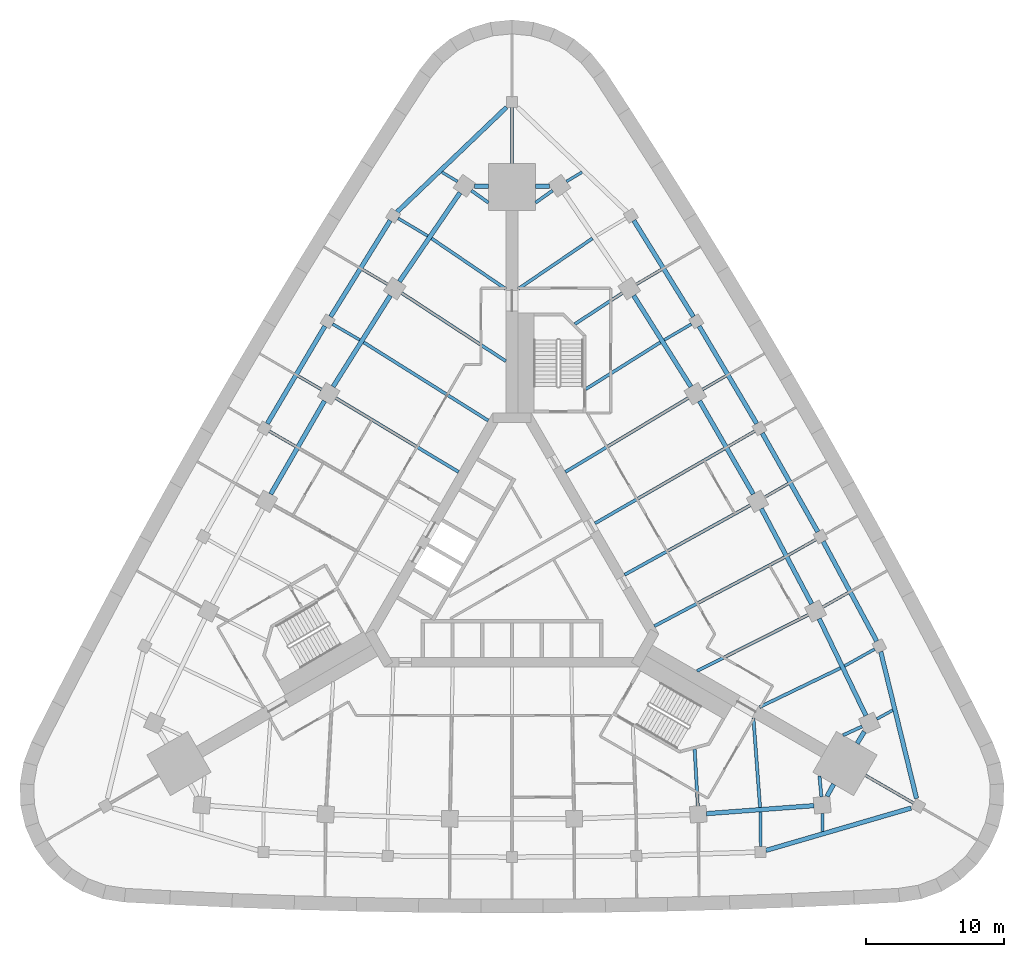
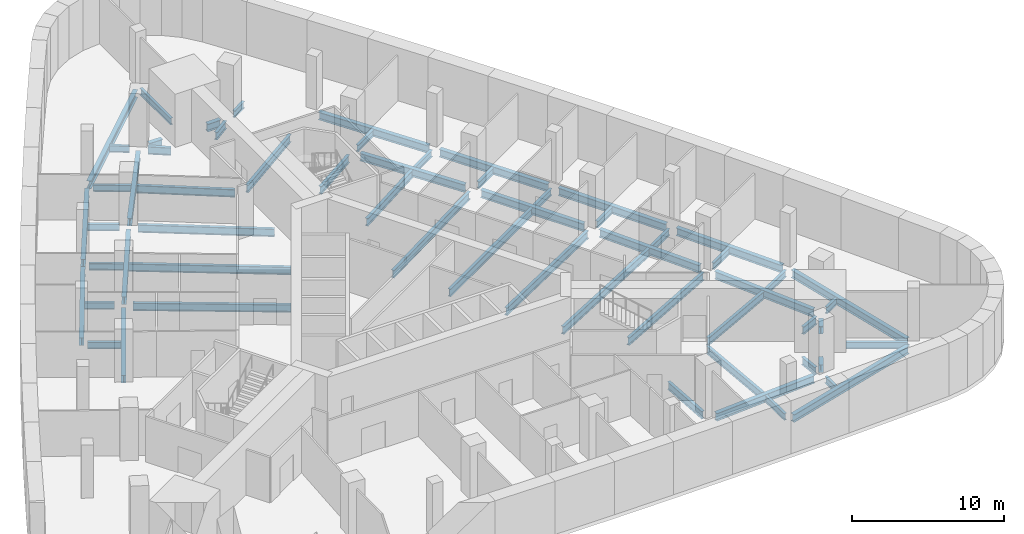
# One storey, part 2 of 9: 60 beams.
"""IFC4 building model written with IfcOpenShell, lengths in metres."""

from ifc_helpers import new_model, si_unit, direction, frame, origin, origin_2d, place, context, subcontext, project, spatial, i_section, extrude, material, material_profile, profile_set, type_object, element, save


model = new_model("IFC4")

# Units and contexts
model_context = context("Model", 3, precision=1e-05, world=origin(), true_north=direction((0.0, 1.0)))
body_context = subcontext(model_context, "Body", "Model", "MODEL_VIEW")
ifc_project = project(units=[si_unit("LENGTHUNIT", "METRE"), si_unit("AREAUNIT", "SQUARE_METRE"), si_unit("VOLUMEUNIT", "CUBIC_METRE"), si_unit("PLANEANGLEUNIT", "RADIAN"), si_unit("MASSUNIT", "GRAM", prefix="KILO")], contexts=[model_context])

# Site, building, storey
site_placement = place(None, origin())
site = spatial("IfcSite", under=ifc_project, at=site_placement, CompositionType="ELEMENT")
building_placement = place(site_placement, origin())
building = spatial("IfcBuilding", under=site, at=building_placement, Name="Noor Cloister Tower", CompositionType="ELEMENT")
storey_placement = place(building_placement, frame((0.0, 0.0, -4.5)))
storey = spatial("IfcBuildingStorey", under=building, at=storey_placement, Name="B1", CompositionType="ELEMENT", Elevation=-4.5)

# Beams
ifc_material_1 = material(Name="Steel ASTM A992 Gr 50", Category="steel")
ifc_material_profile_1 = material_profile(ifc_material_1, i_section(OverallWidth=0.324951171875, OverallDepth=0.612060546875, WebThickness=0.0126953125, FlangeThickness=0.01904296875, FilletRadius=0.0126953125, at=origin_2d()), Name="W610x155")
ifc_profile_set_1 = profile_set([ifc_material_profile_1], Name="Steel ASTM A992 Gr 50")
beam_type_1 = type_object("IfcBeamType", Name="Podium column line beam W610x155", PredefinedType="BEAM", material=ifc_profile_set_1)
for number, where, z_axis, x_axis, name in (
    (1, (-3.7587890625, 27.36376953125, -0.60595703125), (-0.562836146896, -0.826568491867, 0.0), (0.826568491867, -0.562836146896, 0.0), "Podium column line beam NW 00 B1"),
    (2, (-8.7939453125, 19.9296875, -0.60595703125), (-0.531794830589, -0.846873224373, 0.0), (0.846873224373, -0.531794830589, 0.0), "Podium column line beam NW 02 B1"),
):
    element("IfcBeam", number, at=place(storey_placement, frame(where, z_axis=z_axis, x_axis=x_axis)), inside=storey, type_object=beam_type_1, Name=name, PredefinedType="BEAM", context=body_context, shape_type="SweptSolid", body=[
        extrude(i_section(OverallWidth=0.324951171875, OverallDepth=0.612060546875, WebThickness=0.0126953125, FlangeThickness=0.01904296875, FilletRadius=0.0126953125, at=origin_2d()), origin(), (0.0, 0.0, 1.0), 7.77880859375),
    ])
for number, where, z_axis, x_axis, name in (
    (3, (-13.5498046875, 12.314208984375, -0.60595703125), (-0.499990506207, -0.866030884959, 0.0), (0.866030884959, -0.499990506207, 0.0), "Podium column line beam NW 04 B1"),
    (4, (14.060791015625, -17.513916015625, -0.60595703125), (0.997246218275, 0.074161850945, 0.0), (-0.074161850945, 0.997246218275, 0.0), "Podium column line beam S 08 B1"),
):
    element("IfcBeam", number, at=place(storey_placement, frame(where, z_axis=z_axis, x_axis=x_axis)), inside=storey, type_object=beam_type_1, Name=name, PredefinedType="BEAM", context=body_context, shape_type="SweptSolid", body=[
        extrude(i_section(OverallWidth=0.324951171875, OverallDepth=0.612060546875, WebThickness=0.0126953125, FlangeThickness=0.01904296875, FilletRadius=0.0126953125, at=origin_2d()), origin(), (0.0, 0.0, 1.0), 7.779052734375),
    ])
for number, where, z_axis, x_axis, name in (
    (5, (25.5771484375, -10.4267578125, -0.60595703125), (-0.434400589533, 0.900719783181, 0.0), (-0.900719783181, -0.434400589533, 0.0), "Podium column line beam NE 00 B1"),
    (6, (21.65673828125, -2.34912109375, -0.60595703125), (-0.467547366886, 0.883968019624, 0.0), (-0.883968019624, -0.467547366886, 0.0), "Podium column line beam NE 02 B1"),
):
    element("IfcBeam", number, at=place(storey_placement, frame(where, z_axis=z_axis, x_axis=x_axis)), inside=storey, type_object=beam_type_1, Name=name, PredefinedType="BEAM", context=body_context, shape_type="SweptSolid", body=[
        extrude(i_section(OverallWidth=0.324951171875, OverallDepth=0.612060546875, WebThickness=0.0126953125, FlangeThickness=0.01904296875, FilletRadius=0.0126953125, at=origin_2d()), origin(), (0.0, 0.0, 1.0), 7.77880859375),
    ])
beam_1_placement = place(storey_placement, frame((17.439208984375, 5.577392578125, -0.60595703125), z_axis=(-0.499990506207, 0.866030884959, 0.0), x_axis=(-0.866030884959, -0.499990506207, 0.0)))
element("IfcBeam", 7, at=beam_1_placement, inside=storey, type_object=beam_type_1, Name="Podium column line beam NE 04 B1", PredefinedType="BEAM", context=body_context, shape_type="SweptSolid", body=[
    extrude(i_section(OverallWidth=0.324951171875, OverallDepth=0.612060546875, WebThickness=0.0126953125, FlangeThickness=0.01904296875, FilletRadius=0.0126953125, at=origin_2d()), origin(), (0.0, 0.0, 1.0), 7.779052734375),
])
beam_2_placement = place(storey_placement, frame((12.9306640625, 13.342041015625, -0.60595703125), z_axis=(-0.531794830589, 0.846873224373, 0.0), x_axis=(-0.846873224373, -0.531794830589, 0.0)))
element("IfcBeam", 8, at=beam_2_placement, inside=storey, type_object=beam_type_1, Name="Podium column line beam NE 06 B1", PredefinedType="BEAM", context=body_context, shape_type="SweptSolid", body=[
    extrude(i_section(OverallWidth=0.324951171875, OverallDepth=0.612060546875, WebThickness=0.0126953125, FlangeThickness=0.01904296875, FilletRadius=0.0126953125, at=origin_2d()), origin(), (0.0, 0.0, 1.0), 7.77880859375),
])
for number, where, z_axis, x_axis, name in (
    (9, (-2.6962890625, 27.8447265625, -0.60595703125), (0.999788233423, -0.020578831563, 0.0), (0.020578831563, 0.999788233423, 0.0), "Podium end beam NW 00 B1"),
    (10, (22.76611328125, -16.257568359375, -0.60595703125), (0.48185292196, 0.876252110753, 0.0), (-0.876252110753, 0.48185292196, 0.0), "Podium end beam S 10 B1"),
    (11, (25.46240234375, -11.58740234375, -0.60595703125), (-0.517698861359, -0.855562907651, 0.0), (0.855562907651, -0.517698861359, 0.0), "Podium end beam NE 00 B1"),
    (12, (2.6962890625, 27.8447265625, -0.60595703125), (-0.999788233423, -0.020578831563, 0.0), (0.020578831563, -0.999788233423, 0.0), "Podium end beam NE 10 B1"),
):
    element("IfcBeam", number, at=place(storey_placement, frame(where, z_axis=z_axis, x_axis=x_axis)), inside=storey, type_object=beam_type_1, Name=name, PredefinedType="BEAM", context=body_context, shape_type="SweptSolid", body=[
        extrude(i_section(OverallWidth=0.324951171875, OverallDepth=0.612060546875, WebThickness=0.0126953125, FlangeThickness=0.01904296875, FilletRadius=0.0126953125, at=origin_2d()), origin(), (0.0, 0.0, 1.0), 0.99658203125),
    ])
ifc_material_2 = material(Name="Steel ASTM A992 Gr 50", Category="steel")
ifc_material_profile_2 = material_profile(ifc_material_2, i_section(OverallWidth=0.324951171875, OverallDepth=0.616943359375, WebThickness=0.013916015625, FlangeThickness=0.021484375, FilletRadius=0.0126953125, at=origin_2d()), Name="W610x174")
ifc_profile_set_2 = profile_set([ifc_material_profile_2], Name="Steel ASTM A992 Gr 50")
beam_type_2 = type_object("IfcBeamType", Name="Podium perimeter beam W610x174", PredefinedType="BEAM", material=ifc_profile_set_2)
beam_3_placement = place(storey_placement, frame((-0.39990234375, 33.530517578125, -0.6083984375), z_axis=(-0.722642827837, -0.691221631154, 0.0), x_axis=(0.691221631154, -0.722642827837, 0.0)))
element("IfcBeam", 13, at=beam_3_placement, inside=storey, type_object=beam_type_2, Name="Podium perimeter beam 01 B1", PredefinedType="BEAM", context=body_context, shape_type="SweptSolid", body=[
    extrude(i_section(OverallWidth=0.324951171875, OverallDepth=0.616943359375, WebThickness=0.013916015625, FlangeThickness=0.021484375, FilletRadius=0.0126953125, at=origin_2d()), origin(), (0.0, 0.0, 1.0), 10.924560546875),
])
beam_4_placement = place(storey_placement, frame((-8.802978515625, 25.3544921875, -0.6083984375), z_axis=(-0.526431670639, -0.85021744051, 0.0), x_axis=(0.85021744051, -0.526431670639, 0.0)))
element("IfcBeam", 14, at=beam_4_placement, inside=storey, type_object=beam_type_2, Name="Podium perimeter beam 02 B1", PredefinedType="BEAM", context=body_context, shape_type="SweptSolid", body=[
    extrude(i_section(OverallWidth=0.324951171875, OverallDepth=0.616943359375, WebThickness=0.013916015625, FlangeThickness=0.021484375, FilletRadius=0.0126953125, at=origin_2d()), origin(), (0.0, 0.0, 1.0), 8.180419921875),
])
beam_5_placement = place(storey_placement, frame((-13.5234375, 17.71484375, -0.6083984375), z_axis=(-0.508871084259, -0.860842738022, 0.0), x_axis=(0.860842738022, -0.508871084259, 0.0)))
element("IfcBeam", 15, at=beam_5_placement, inside=storey, type_object=beam_type_2, Name="Podium perimeter beam 03 B1", PredefinedType="BEAM", context=body_context, shape_type="SweptSolid", body=[
    extrude(i_section(OverallWidth=0.324951171875, OverallDepth=0.616943359375, WebThickness=0.013916015625, FlangeThickness=0.021484375, FilletRadius=0.0126953125, at=origin_2d()), origin(), (0.0, 0.0, 1.0), 8.18017578125),
])
for number, where, z_axis, x_axis, name in (
    (16, (18.3515625, -20.1728515625, -0.6083984375), (0.959935397728, 0.280221398522, 0.0), (-0.280221398522, 0.959935397728, 0.0), "Podium perimeter beam 12 B1"),
    (17, (29.23828125, -16.4189453125, -0.6083984375), (-0.237289539542, 0.971438971024, 0.0), (-0.971438971024, -0.237289539542, 0.0), "Podium perimeter beam 13 B1"),
):
    element("IfcBeam", number, at=place(storey_placement, frame(where, z_axis=z_axis, x_axis=x_axis)), inside=storey, type_object=beam_type_2, Name=name, PredefinedType="BEAM", context=body_context, shape_type="SweptSolid", body=[
        extrude(i_section(OverallWidth=0.324951171875, OverallDepth=0.616943359375, WebThickness=0.013916015625, FlangeThickness=0.021484375, FilletRadius=0.0126953125, at=origin_2d()), origin(), (0.0, 0.0, 1.0), 10.924560546875),
    ])
for number, where, z_axis, x_axis, name in (
    (18, (26.35888671875, -5.0537109375, -0.6083984375), (-0.47307258725, 0.881023454394, 0.0), (-0.881023454394, -0.47307258725, 0.0), "Podium perimeter beam 14 B1"),
    (19, (22.103271484375, 2.854248046875, -0.6083984375), (-0.491071539523, 0.871119247331, 0.0), (-0.871119247331, -0.491071539523, 0.0), "Podium perimeter beam 15 B1"),
    (20, (17.68603515625, 10.673095703125, -0.6083984375), (-0.508871084259, 0.860842738022, 0.0), (-0.860842738022, -0.508871084259, 0.0), "Podium perimeter beam 16 B1"),
):
    element("IfcBeam", number, at=place(storey_placement, frame(where, z_axis=z_axis, x_axis=x_axis)), inside=storey, type_object=beam_type_2, Name=name, PredefinedType="BEAM", context=body_context, shape_type="SweptSolid", body=[
        extrude(i_section(OverallWidth=0.324951171875, OverallDepth=0.616943359375, WebThickness=0.013916015625, FlangeThickness=0.021484375, FilletRadius=0.0126953125, at=origin_2d()), origin(), (0.0, 0.0, 1.0), 8.18017578125),
    ])
beam_6_placement = place(storey_placement, frame((13.109375, 18.3994140625, -0.6083984375), z_axis=(-0.526431670639, 0.85021744051, 0.0), x_axis=(-0.85021744051, -0.526431670639, 0.0)))
element("IfcBeam", 21, at=beam_6_placement, inside=storey, type_object=beam_type_2, Name="Podium perimeter beam 17 B1", PredefinedType="BEAM", context=body_context, shape_type="SweptSolid", body=[
    extrude(i_section(OverallWidth=0.324951171875, OverallDepth=0.616943359375, WebThickness=0.013916015625, FlangeThickness=0.021484375, FilletRadius=0.0126953125, at=origin_2d()), origin(), (0.0, 0.0, 1.0), 8.180419921875),
])
ifc_material_3 = material(Name="Steel ASTM A992 Gr 50", Category="steel")
ifc_material_profile_3 = material_profile(ifc_material_3, i_section(OverallWidth=0.22900390625, OverallDepth=0.612060546875, WebThickness=0.011962890625, FlangeThickness=0.01953125, FilletRadius=0.0126953125, at=origin_2d()), Name="W610x125")
ifc_profile_set_3 = profile_set([ifc_material_profile_3], Name="Steel ASTM A992 Gr 50")
beam_type_3 = type_object("IfcBeamType", Name="Podium radial beam W610x125", PredefinedType="BEAM", material=ifc_profile_set_3)
beam_7_placement = place(storey_placement, frame((-2.931396484375, 27.512939453125, -0.60595703125), z_axis=(0.816011763041, -0.578035295271, 0.0), x_axis=(0.578035295271, 0.816011763041, 0.0)))
element("IfcBeam", 22, at=beam_7_placement, inside=storey, type_object=beam_type_3, Name="Podium radial beam NW 00 B1", PredefinedType="BEAM", context=body_context, shape_type="SweptSolid", body=[
    extrude(i_section(OverallWidth=0.22900390625, OverallDepth=0.612060546875, WebThickness=0.011962890625, FlangeThickness=0.01953125, FilletRadius=0.0126953125, at=origin_2d()), origin(), (0.0, 0.0, 1.0), 1.509033203125),
])
beam_8_placement = place(storey_placement, frame((-5.813720703125, 24.057373046875, -0.60595703125), z_axis=(0.826586958388, -0.562809026423, 0.0), x_axis=(0.562809026423, 0.826586958388, 0.0)))
element("IfcBeam", 23, at=beam_8_placement, inside=storey, type_object=beam_type_3, Name="Podium radial beam NW 01 B1", PredefinedType="BEAM", context=body_context, shape_type="SweptSolid", body=[
    extrude(i_section(OverallWidth=0.22900390625, OverallDepth=0.612060546875, WebThickness=0.011962890625, FlangeThickness=0.01953125, FilletRadius=0.0126953125, at=origin_2d()), origin(), (0.0, 0.0, 1.0), 6.489013671875),
])
beam_9_placement = place(storey_placement, frame((-7.97265625, 20.109619140625, -0.60595703125), z_axis=(0.836869601911, -0.547402292101, 0.0), x_axis=(0.547402292101, 0.836869601911, 0.0)))
element("IfcBeam", 24, at=beam_9_placement, inside=storey, type_object=beam_type_3, Name="Podium radial beam NW 02 B1", PredefinedType="BEAM", context=body_context, shape_type="SweptSolid", body=[
    extrude(i_section(OverallWidth=0.22900390625, OverallDepth=0.612060546875, WebThickness=0.011962890625, FlangeThickness=0.01953125, FilletRadius=0.0126953125, at=origin_2d()), origin(), (0.0, 0.0, 1.0), 8.989013671875),
])
beam_10_placement = place(storey_placement, frame((-10.724609375, 16.549560546875, -0.60595703125), z_axis=(0.846875091453, -0.531791857287, 0.0), x_axis=(0.531791857287, 0.846875091453, 0.0)))
element("IfcBeam", 25, at=beam_10_placement, inside=storey, type_object=beam_type_3, Name="Podium radial beam NW 03 B1", PredefinedType="BEAM", context=body_context, shape_type="SweptSolid", body=[
    extrude(i_section(OverallWidth=0.22900390625, OverallDepth=0.612060546875, WebThickness=0.011962890625, FlangeThickness=0.01953125, FilletRadius=0.0126953125, at=origin_2d()), origin(), (0.0, 0.0, 1.0), 10.6416015625),
])
beam_11_placement = place(storey_placement, frame((-12.73583984375, 12.524169921875, -0.60595703125), z_axis=(0.856606308575, -0.515970572911, 0.0), x_axis=(0.515970572911, 0.856606308575, 0.0)))
element("IfcBeam", 26, at=beam_11_placement, inside=storey, type_object=beam_type_3, Name="Podium radial beam NW 04 B1", PredefinedType="BEAM", context=body_context, shape_type="SweptSolid", body=[
    extrude(i_section(OverallWidth=0.22900390625, OverallDepth=0.612060546875, WebThickness=0.011962890625, FlangeThickness=0.01953125, FilletRadius=0.0126953125, at=origin_2d()), origin(), (0.0, 0.0, 1.0), 10.365234375),
])
beam_12_placement = place(storey_placement, frame((13.428955078125, -16.959228515625, -0.60595703125), z_axis=(-0.055591728913, 0.998453584137, 0.0), x_axis=(-0.998453584137, -0.055591728913, 0.0)))
element("IfcBeam", 27, at=beam_12_placement, inside=storey, type_object=beam_type_3, Name="Podium radial beam S 08 B1", PredefinedType="BEAM", context=body_context, shape_type="SweptSolid", body=[
    extrude(i_section(OverallWidth=0.22900390625, OverallDepth=0.612060546875, WebThickness=0.011962890625, FlangeThickness=0.01953125, FilletRadius=0.0126953125, at=origin_2d()), origin(), (0.0, 0.0, 1.0), 4.110595703125),
])
beam_13_placement = place(storey_placement, frame((17.927490234375, -17.0634765625, -0.60595703125), z_axis=(-0.074118366359, 0.997249451125, 0.0), x_axis=(-0.997249451125, -0.074118366359, 0.0)))
element("IfcBeam", 28, at=beam_13_placement, inside=storey, type_object=beam_type_3, Name="Podium radial beam S 09 B1", PredefinedType="BEAM", context=body_context, shape_type="SweptSolid", body=[
    extrude(i_section(OverallWidth=0.22900390625, OverallDepth=0.612060546875, WebThickness=0.011962890625, FlangeThickness=0.01953125, FilletRadius=0.0126953125, at=origin_2d()), origin(), (0.0, 0.0, 1.0), 6.489013671875),
])
for number, where, z_axis, x_axis, name in (
    (29, (22.361328125, -16.295166015625, -0.60595703125), (-0.09269423525, 0.995694621233, 0.0), (-0.995694621233, -0.09269423525, 0.0), "Podium radial beam S 10 B1"),
    (30, (25.292724609375, -11.2177734375, -0.60595703125), (-0.908602193803, -0.417662607157, 0.0), (0.417662607157, -0.908602193803, 0.0), "Podium radial beam NE 00 B1"),
):
    element("IfcBeam", number, at=place(storey_placement, frame(where, z_axis=z_axis, x_axis=x_axis)), inside=storey, type_object=beam_type_3, Name=name, PredefinedType="BEAM", context=body_context, shape_type="SweptSolid", body=[
        extrude(i_section(OverallWidth=0.22900390625, OverallDepth=0.612060546875, WebThickness=0.011962890625, FlangeThickness=0.01953125, FilletRadius=0.0126953125, at=origin_2d()), origin(), (0.0, 0.0, 1.0), 1.50927734375),
    ])
beam_14_placement = place(storey_placement, frame((23.7412109375, -6.993896484375, -0.60595703125), z_axis=(-0.900702438264, -0.43443655199, 0.0), x_axis=(0.43443655199, -0.900702438264, 0.0)))
element("IfcBeam", 31, at=beam_14_placement, inside=storey, type_object=beam_type_3, Name="Podium radial beam NE 01 B1", PredefinedType="BEAM", context=body_context, shape_type="SweptSolid", body=[
    extrude(i_section(OverallWidth=0.22900390625, OverallDepth=0.612060546875, WebThickness=0.011962890625, FlangeThickness=0.01953125, FilletRadius=0.0126953125, at=origin_2d()), origin(), (0.0, 0.0, 1.0), 6.489013671875),
])
beam_15_placement = place(storey_placement, frame((21.401611328125, -3.150146484375, -0.60595703125), z_axis=(-0.892490546955, -0.451066096705, 0.0), x_axis=(0.451066096705, -0.892490546955, 0.0)))
element("IfcBeam", 32, at=beam_15_placement, inside=storey, type_object=beam_type_3, Name="Podium radial beam NE 02 B1", PredefinedType="BEAM", context=body_context, shape_type="SweptSolid", body=[
    extrude(i_section(OverallWidth=0.22900390625, OverallDepth=0.612060546875, WebThickness=0.011962890625, FlangeThickness=0.01953125, FilletRadius=0.0126953125, at=origin_2d()), origin(), (0.0, 0.0, 1.0), 8.989013671875),
])
beam_16_placement = place(storey_placement, frame((19.694580078125, 1.01318359375, -0.60595703125), z_axis=(-0.883975349121, -0.467533509116, 0.0), x_axis=(0.467533509116, -0.883975349121, 0.0)))
element("IfcBeam", 33, at=beam_16_placement, inside=storey, type_object=beam_type_3, Name="Podium radial beam NE 03 B1", PredefinedType="BEAM", context=body_context, shape_type="SweptSolid", body=[
    extrude(i_section(OverallWidth=0.22900390625, OverallDepth=0.612060546875, WebThickness=0.011962890625, FlangeThickness=0.01953125, FilletRadius=0.0126953125, at=origin_2d()), origin(), (0.0, 0.0, 1.0), 10.6416015625),
])
beam_17_placement = place(storey_placement, frame((17.214111328125, 4.767333984375, -0.60595703125), z_axis=(-0.875152039929, -0.483848020568, 0.0), x_axis=(0.483848020568, -0.875152039929, 0.0)))
element("IfcBeam", 34, at=beam_17_placement, inside=storey, type_object=beam_type_3, Name="Podium radial beam NE 04 B1", PredefinedType="BEAM", context=body_context, shape_type="SweptSolid", body=[
    extrude(i_section(OverallWidth=0.22900390625, OverallDepth=0.612060546875, WebThickness=0.011962890625, FlangeThickness=0.01953125, FilletRadius=0.0126953125, at=origin_2d()), origin(), (0.0, 0.0, 1.0), 10.364990234375),
])
beam_18_placement = place(storey_placement, frame((15.353759765625, 8.864501953125, -0.60595703125), z_axis=(-0.866025607992, -0.499999646302, 0.0), x_axis=(0.499999646302, -0.866025607992, 0.0)))
element("IfcBeam", 35, at=beam_18_placement, inside=storey, type_object=beam_type_3, Name="Podium radial beam NE 05 B1", PredefinedType="BEAM", context=body_context, shape_type="SweptSolid", body=[
    extrude(i_section(OverallWidth=0.22900390625, OverallDepth=0.612060546875, WebThickness=0.011962890625, FlangeThickness=0.01953125, FilletRadius=0.0126953125, at=origin_2d()), origin(), (0.0, 0.0, 1.0), 10.80078125),
])
beam_19_placement = place(storey_placement, frame((12.73583984375, 12.524169921875, -0.60595703125), z_axis=(-0.856606308575, -0.515970572911, 0.0), x_axis=(0.515970572911, -0.856606308575, 0.0)))
element("IfcBeam", 36, at=beam_19_placement, inside=storey, type_object=beam_type_3, Name="Podium radial beam NE 06 B1", PredefinedType="BEAM", context=body_context, shape_type="SweptSolid", body=[
    extrude(i_section(OverallWidth=0.22900390625, OverallDepth=0.612060546875, WebThickness=0.011962890625, FlangeThickness=0.01953125, FilletRadius=0.0126953125, at=origin_2d()), origin(), (0.0, 0.0, 1.0), 10.365234375),
])
beam_20_placement = place(storey_placement, frame((10.724609375, 16.549560546875, -0.60595703125), z_axis=(-0.846869093356, -0.531801409098, 0.0), x_axis=(0.531801409098, -0.846869093356, 0.0)))
element("IfcBeam", 37, at=beam_20_placement, inside=storey, type_object=beam_type_3, Name="Podium radial beam NE 07 B1", PredefinedType="BEAM", context=body_context, shape_type="SweptSolid", body=[
    extrude(i_section(OverallWidth=0.22900390625, OverallDepth=0.612060546875, WebThickness=0.011962890625, FlangeThickness=0.01953125, FilletRadius=0.0126953125, at=origin_2d()), origin(), (0.0, 0.0, 1.0), 6.36328125),
])
beam_21_placement = place(storey_placement, frame((7.97265625, 20.109619140625, -0.60595703125), z_axis=(-0.836852408304, -0.547428576816, 0.0), x_axis=(0.547428576816, -0.836852408304, 0.0)))
element("IfcBeam", 38, at=beam_21_placement, inside=storey, type_object=beam_type_3, Name="Podium radial beam NE 08 B1", PredefinedType="BEAM", context=body_context, shape_type="SweptSolid", body=[
    extrude(i_section(OverallWidth=0.22900390625, OverallDepth=0.612060546875, WebThickness=0.011962890625, FlangeThickness=0.01953125, FilletRadius=0.0126953125, at=origin_2d()), origin(), (0.0, 0.0, 1.0), 4.110595703125),
])
beam_22_placement = place(storey_placement, frame((5.813720703125, 24.057373046875, -0.60595703125), z_axis=(-0.826586958388, -0.562809026423, 0.0), x_axis=(0.562809026423, -0.826586958388, 0.0)))
element("IfcBeam", 39, at=beam_22_placement, inside=storey, type_object=beam_type_3, Name="Podium radial beam NE 09 B1", PredefinedType="BEAM", context=body_context, shape_type="SweptSolid", body=[
    extrude(i_section(OverallWidth=0.22900390625, OverallDepth=0.612060546875, WebThickness=0.011962890625, FlangeThickness=0.01953125, FilletRadius=0.0126953125, at=origin_2d()), origin(), (0.0, 0.0, 1.0), 6.489013671875),
])
beam_23_placement = place(storey_placement, frame((2.931396484375, 27.512939453125, -0.60595703125), z_axis=(-0.816011763041, -0.578035295271, 0.0), x_axis=(0.578035295271, -0.816011763041, 0.0)))
element("IfcBeam", 40, at=beam_23_placement, inside=storey, type_object=beam_type_3, Name="Podium radial beam NE 10 B1", PredefinedType="BEAM", context=body_context, shape_type="SweptSolid", body=[
    extrude(i_section(OverallWidth=0.22900390625, OverallDepth=0.612060546875, WebThickness=0.011962890625, FlangeThickness=0.01953125, FilletRadius=0.0126953125, at=origin_2d()), origin(), (0.0, 0.0, 1.0), 1.509033203125),
])
ifc_material_4 = material(Name="Steel ASTM A992 Gr 50", Category="steel")
ifc_material_profile_4 = material_profile(ifc_material_4, i_section(OverallWidth=0.208984375, OverallDepth=0.532958984375, WebThickness=0.01025390625, FlangeThickness=0.015625, FilletRadius=0.0126953125, at=origin_2d()), Name="W530x92")
ifc_profile_set_4 = profile_set([ifc_material_profile_4], Name="Steel ASTM A992 Gr 50")
beam_type_4 = type_object("IfcBeamType", Name="Podium stub beam W530x92", PredefinedType="BEAM", material=ifc_profile_set_4)
beam_24_placement = place(storey_placement, frame((-3.936767578125, 28.169921875, -0.56640625), z_axis=(-0.85703318355, 0.515261217534, 0.0), x_axis=(-0.515261217534, -0.85703318355, 0.0)))
element("IfcBeam", 41, at=beam_24_placement, inside=storey, type_object=beam_type_4, Name="Podium stub beam NW 00 B1", PredefinedType="BEAM", context=body_context, shape_type="SweptSolid", body=[
    extrude(i_section(OverallWidth=0.208984375, OverallDepth=0.532958984375, WebThickness=0.01025390625, FlangeThickness=0.015625, FilletRadius=0.0126953125, at=origin_2d()), origin(), (0.0, 0.0, 1.0), 1.31298828125),
])
beam_25_placement = place(storey_placement, frame((-6.08642578125, 24.234375, -0.56640625), z_axis=(-0.859392031869, 0.511317255292, 0.0), x_axis=(-0.511317255292, -0.859392031869, 0.0)))
element("IfcBeam", 42, at=beam_25_placement, inside=storey, type_object=beam_type_4, Name="Podium stub beam NW 01 B1", PredefinedType="BEAM", context=body_context, shape_type="SweptSolid", body=[
    extrude(i_section(OverallWidth=0.208984375, OverallDepth=0.532958984375, WebThickness=0.01025390625, FlangeThickness=0.015625, FilletRadius=0.0126953125, at=origin_2d()), origin(), (0.0, 0.0, 1.0), 2.4990234375),
])
beam_26_placement = place(storey_placement, frame((-8.9921875, 20.7431640625, -0.56640625), z_axis=(-0.861388026726, 0.507947504583, 0.0), x_axis=(-0.507947504583, -0.861388026726, 0.0)))
element("IfcBeam", 43, at=beam_26_placement, inside=storey, type_object=beam_type_4, Name="Podium stub beam NW 02 B1", PredefinedType="BEAM", context=body_context, shape_type="SweptSolid", body=[
    extrude(i_section(OverallWidth=0.208984375, OverallDepth=0.532958984375, WebThickness=0.01025390625, FlangeThickness=0.015625, FilletRadius=0.0126953125, at=origin_2d()), origin(), (0.0, 0.0, 1.0), 2.104736328125),
])
beam_27_placement = place(storey_placement, frame((-11.001953125, 16.71923828125, -0.56640625), z_axis=(-0.863117063039, 0.505003896511, 0.0), x_axis=(-0.505003896511, -0.863117063039, 0.0)))
element("IfcBeam", 44, at=beam_27_placement, inside=storey, type_object=beam_type_4, Name="Podium stub beam NW 03 B1", PredefinedType="BEAM", context=body_context, shape_type="SweptSolid", body=[
    extrude(i_section(OverallWidth=0.208984375, OverallDepth=0.532958984375, WebThickness=0.01025390625, FlangeThickness=0.015625, FilletRadius=0.0126953125, at=origin_2d()), origin(), (0.0, 0.0, 1.0), 2.277099609375),
])
beam_28_placement = place(storey_placement, frame((-13.7685546875, 13.13525390625, -0.56640625), z_axis=(-0.864596671595, 0.502466511786, 0.0), x_axis=(-0.502466511786, -0.864596671595, 0.0)))
element("IfcBeam", 45, at=beam_28_placement, inside=storey, type_object=beam_type_4, Name="Podium stub beam NW 04 B1", PredefinedType="BEAM", context=body_context, shape_type="SweptSolid", body=[
    extrude(i_section(OverallWidth=0.208984375, OverallDepth=0.532958984375, WebThickness=0.01025390625, FlangeThickness=0.015625, FilletRadius=0.0126953125, at=origin_2d()), origin(), (0.0, 0.0, 1.0), 1.95703125),
])
beam_29_placement = place(storey_placement, frame((-15.63525390625, 9.027099609375, -0.56640625), z_axis=(-0.86602503688, 0.500000635496, 0.0), x_axis=(-0.500000635496, -0.86602503688, 0.0)))
element("IfcBeam", 46, at=beam_29_placement, inside=storey, type_object=beam_type_4, Name="Podium stub beam NW 05 B1", PredefinedType="BEAM", context=body_context, shape_type="SweptSolid", body=[
    extrude(i_section(OverallWidth=0.208984375, OverallDepth=0.532958984375, WebThickness=0.01025390625, FlangeThickness=0.015625, FilletRadius=0.0126953125, at=origin_2d()), origin(), (0.0, 0.0, 1.0), 2.203125),
])
beam_30_placement = place(storey_placement, frame((17.9443359375, -17.38818359375, -0.56640625), z_axis=(0.013089929593, -0.999914323201, 0.0), x_axis=(0.999914323201, 0.013089929593, 0.0)))
element("IfcBeam", 47, at=beam_30_placement, inside=storey, type_object=beam_type_4, Name="Podium stub beam S 09 B1", PredefinedType="BEAM", context=body_context, shape_type="SweptSolid", body=[
    extrude(i_section(OverallWidth=0.208984375, OverallDepth=0.532958984375, WebThickness=0.01025390625, FlangeThickness=0.015625, FilletRadius=0.0126953125, at=origin_2d()), origin(), (0.0, 0.0, 1.0), 2.499267578125),
])
beam_31_placement = place(storey_placement, frame((22.427490234375, -17.494140625, -0.56640625), z_axis=(0.017661803966, -0.999844018175, 0.0), x_axis=(0.999844018175, 0.017661803966, 0.0)))
element("IfcBeam", 48, at=beam_31_placement, inside=storey, type_object=beam_type_4, Name="Podium stub beam S 10 B1", PredefinedType="BEAM", context=body_context, shape_type="SweptSolid", body=[
    extrude(i_section(OverallWidth=0.208984375, OverallDepth=0.532958984375, WebThickness=0.01025390625, FlangeThickness=0.015625, FilletRadius=0.0126953125, at=origin_2d()), origin(), (0.0, 0.0, 1.0), 1.313232421875),
])
beam_32_placement = place(storey_placement, frame((26.3642578125, -10.675537109375, -0.56640625), z_axis=(0.874735573686, 0.484600532531, 0.0), x_axis=(-0.484600532531, 0.874735573686, 0.0)))
element("IfcBeam", 49, at=beam_32_placement, inside=storey, type_object=beam_type_4, Name="Podium stub beam NE 00 B1", PredefinedType="BEAM", context=body_context, shape_type="SweptSolid", body=[
    extrude(i_section(OverallWidth=0.208984375, OverallDepth=0.532958984375, WebThickness=0.01025390625, FlangeThickness=0.015625, FilletRadius=0.0126953125, at=origin_2d()), origin(), (0.0, 0.0, 1.0), 1.31298828125),
])
beam_33_placement = place(storey_placement, frame((24.03076171875, -6.84619140625, -0.56640625), z_axis=(0.872502684482, 0.488609317933, 0.0), x_axis=(-0.488609317933, 0.872502684482, 0.0)))
element("IfcBeam", 50, at=beam_33_placement, inside=storey, type_object=beam_type_4, Name="Podium stub beam NE 01 B1", PredefinedType="BEAM", context=body_context, shape_type="SweptSolid", body=[
    extrude(i_section(OverallWidth=0.208984375, OverallDepth=0.532958984375, WebThickness=0.01025390625, FlangeThickness=0.015625, FilletRadius=0.0126953125, at=origin_2d()), origin(), (0.0, 0.0, 1.0), 2.499267578125),
])
beam_34_placement = place(storey_placement, frame((22.460205078125, -2.583984375, -0.56640625), z_axis=(0.870610366402, 0.491973159748, 0.0), x_axis=(-0.491973159748, 0.870610366402, 0.0)))
element("IfcBeam", 51, at=beam_34_placement, inside=storey, type_object=beam_type_4, Name="Podium stub beam NE 02 B1", PredefinedType="BEAM", context=body_context, shape_type="SweptSolid", body=[
    extrude(i_section(OverallWidth=0.208984375, OverallDepth=0.532958984375, WebThickness=0.01025390625, FlangeThickness=0.015625, FilletRadius=0.0126953125, at=origin_2d()), origin(), (0.0, 0.0, 1.0), 2.1044921875),
])
beam_35_placement = place(storey_placement, frame((19.980224609375, 1.16845703125, -0.56640625), z_axis=(0.868954795395, 0.494891466446, 0.0), x_axis=(-0.494891466446, 0.868954795395, 0.0)))
element("IfcBeam", 52, at=beam_35_placement, inside=storey, type_object=beam_type_4, Name="Podium stub beam NE 03 B1", PredefinedType="BEAM", context=body_context, shape_type="SweptSolid", body=[
    extrude(i_section(OverallWidth=0.208984375, OverallDepth=0.532958984375, WebThickness=0.01025390625, FlangeThickness=0.015625, FilletRadius=0.0126953125, at=origin_2d()), origin(), (0.0, 0.0, 1.0), 2.277099609375),
])
beam_36_placement = place(storey_placement, frame((18.259765625, 5.356201171875, -0.56640625), z_axis=(0.867389720101, 0.497629453974, 0.0), x_axis=(-0.497629453974, 0.867389720101, 0.0)))
element("IfcBeam", 53, at=beam_36_placement, inside=storey, type_object=beam_type_4, Name="Podium stub beam NE 04 B1", PredefinedType="BEAM", context=body_context, shape_type="SweptSolid", body=[
    extrude(i_section(OverallWidth=0.208984375, OverallDepth=0.532958984375, WebThickness=0.01025390625, FlangeThickness=0.015625, FilletRadius=0.0126953125, at=origin_2d()), origin(), (0.0, 0.0, 1.0), 1.95703125),
])
beam_37_placement = place(storey_placement, frame((15.63525390625, 9.027099609375, -0.56640625), z_axis=(0.86602503688, 0.500000635496, 0.0), x_axis=(-0.500000635496, 0.86602503688, 0.0)))
element("IfcBeam", 54, at=beam_37_placement, inside=storey, type_object=beam_type_4, Name="Podium stub beam NE 05 B1", PredefinedType="BEAM", context=body_context, shape_type="SweptSolid", body=[
    extrude(i_section(OverallWidth=0.208984375, OverallDepth=0.532958984375, WebThickness=0.01025390625, FlangeThickness=0.015625, FilletRadius=0.0126953125, at=origin_2d()), origin(), (0.0, 0.0, 1.0), 2.203125),
])
beam_38_placement = place(storey_placement, frame((13.7685546875, 13.13525390625, -0.56640625), z_axis=(0.864596671595, 0.502466511786, 0.0), x_axis=(-0.502466511786, 0.864596671595, 0.0)))
element("IfcBeam", 55, at=beam_38_placement, inside=storey, type_object=beam_type_4, Name="Podium stub beam NE 06 B1", PredefinedType="BEAM", context=body_context, shape_type="SweptSolid", body=[
    extrude(i_section(OverallWidth=0.208984375, OverallDepth=0.532958984375, WebThickness=0.01025390625, FlangeThickness=0.015625, FilletRadius=0.0126953125, at=origin_2d()), origin(), (0.0, 0.0, 1.0), 1.95703125),
])
beam_39_placement = place(storey_placement, frame((11.001953125, 16.71923828125, -0.56640625), z_axis=(0.863117063039, 0.505003896511, 0.0), x_axis=(-0.505003896511, 0.863117063039, 0.0)))
element("IfcBeam", 56, at=beam_39_placement, inside=storey, type_object=beam_type_4, Name="Podium stub beam NE 07 B1", PredefinedType="BEAM", context=body_context, shape_type="SweptSolid", body=[
    extrude(i_section(OverallWidth=0.208984375, OverallDepth=0.532958984375, WebThickness=0.01025390625, FlangeThickness=0.015625, FilletRadius=0.0126953125, at=origin_2d()), origin(), (0.0, 0.0, 1.0), 2.277099609375),
])
beam_40_placement = place(storey_placement, frame((8.9921875, 20.7431640625, -0.56640625), z_axis=(0.861388026726, 0.507947504583, 0.0), x_axis=(-0.507947504583, 0.861388026726, 0.0)))
element("IfcBeam", 57, at=beam_40_placement, inside=storey, type_object=beam_type_4, Name="Podium stub beam NE 08 B1", PredefinedType="BEAM", context=body_context, shape_type="SweptSolid", body=[
    extrude(i_section(OverallWidth=0.208984375, OverallDepth=0.532958984375, WebThickness=0.01025390625, FlangeThickness=0.015625, FilletRadius=0.0126953125, at=origin_2d()), origin(), (0.0, 0.0, 1.0), 2.104736328125),
])
beam_41_placement = place(storey_placement, frame((3.936767578125, 28.169921875, -0.56640625), z_axis=(0.85703318355, 0.515261217534, 0.0), x_axis=(-0.515261217534, 0.85703318355, 0.0)))
element("IfcBeam", 58, at=beam_41_placement, inside=storey, type_object=beam_type_4, Name="Podium stub beam NE 10 B1", PredefinedType="BEAM", context=body_context, shape_type="SweptSolid", body=[
    extrude(i_section(OverallWidth=0.208984375, OverallDepth=0.532958984375, WebThickness=0.01025390625, FlangeThickness=0.015625, FilletRadius=0.0126953125, at=origin_2d()), origin(), (0.0, 0.0, 1.0), 1.31298828125),
])
for number, where, z_axis, x_axis, name in (
    (59, (0.0, 29.489013671875, -0.56640625), (0.0, 1.0, 0.0), (-1.0, 0.0, 0.0), "Podium corner stub beam N B1"),
    (60, (25.538330078125, -14.744384765625, -0.56640625), (0.866001699761, -0.500041054325, 0.0), (0.500041054325, 0.866001699761, 0.0), "Podium corner stub beam SE B1"),
):
    element("IfcBeam", number, at=place(storey_placement, frame(where, z_axis=z_axis, x_axis=x_axis)), inside=storey, type_object=beam_type_4, Name=name, PredefinedType="BEAM", context=body_context, shape_type="SweptSolid", body=[
        extrude(i_section(OverallWidth=0.208984375, OverallDepth=0.532958984375, WebThickness=0.01025390625, FlangeThickness=0.015625, FilletRadius=0.0126953125, at=origin_2d()), origin(), (0.0, 0.0, 1.0), 4.024169921875),
    ])

save(model, "model.ifc")
